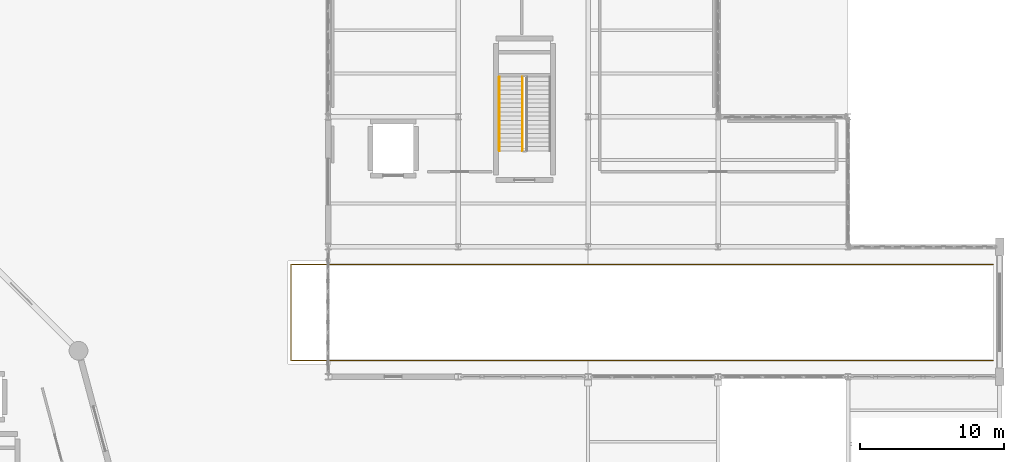
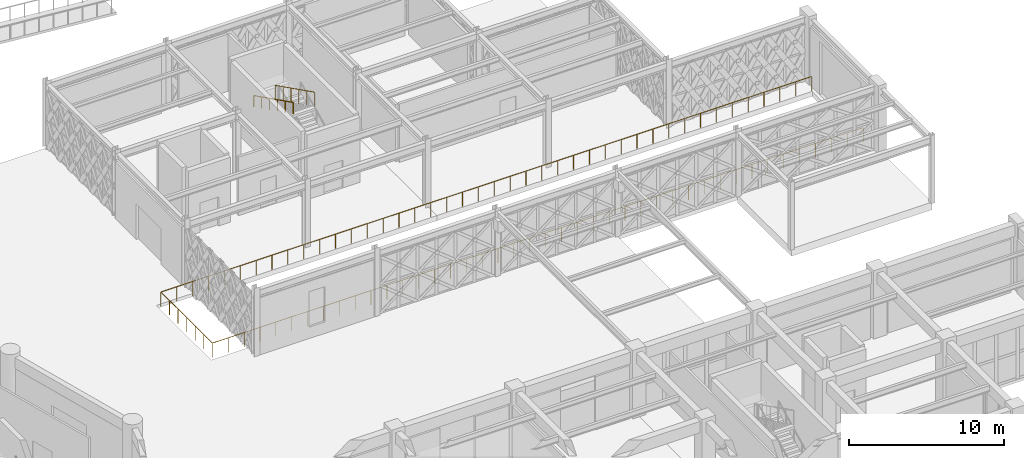
# One storey, part 138 of 140: 3 railings.
"""IFC4 building model written with IfcOpenShell, lengths in metres."""

from ifc_helpers import new_model, si_unit, direction, frame, origin, origin_2d, place, context, subcontext, project, spatial, circle, extrude, material, type_object, element, save


model = new_model("IFC4")

# Units and contexts
model_context = context("Model", 3, precision=1e-05, world=origin(), true_north=direction((0.0, 1.0)))
body_context = subcontext(model_context, "Body", "Model", "MODEL_VIEW")
ifc_project = project(units=[si_unit("LENGTHUNIT", "METRE"), si_unit("AREAUNIT", "SQUARE_METRE"), si_unit("VOLUMEUNIT", "CUBIC_METRE"), si_unit("PLANEANGLEUNIT", "RADIAN"), si_unit("MASSUNIT", "GRAM", prefix="KILO")], contexts=[model_context])

# Site, building, storey
site_placement = place(None, origin())
site = spatial("IfcSite", under=ifc_project, at=site_placement, CompositionType="ELEMENT")
building_placement = place(site_placement, origin())
building = spatial("IfcBuilding", under=site, at=building_placement, Name="Haizhuo Lancet Aquarium", CompositionType="ELEMENT")
storey_placement = place(building_placement, origin())
storey = spatial("IfcBuildingStorey", under=building, at=storey_placement, Name="L00", CompositionType="ELEMENT", Elevation=0.0)

# Railings
ifc_material = material(Name="Steel S355", Category="steel")
railing_type_1 = type_object("IfcRailingType", Name="RL-GRD-1150", PredefinedType="GUARDRAIL", material=ifc_material)
railing_1_placement = place(storey_placement, frame((49.449951171875, 29.75, 2.85009765625)))
element("IfcRailing", 1, at=railing_1_placement, inside=storey, type_object=railing_type_1, Name="L00 ST-10 stair guard 3", PredefinedType="GUARDRAIL", context=body_context, shape_type="SweptSolid", body=[
    extrude(circle(Radius=0.02392578125, at=origin_2d()), frame((0.0, -0.02685546875, 1.13916015625), z_axis=(0.0, -0.89444431709, 0.44717934168), x_axis=(1.0, 0.0, 0.0)), (0.0, 0.0, 1.0), 5.64208984375),
    extrude(circle(Radius=0.02099609375, at=origin_2d()), origin(), (0.0, 0.0, 1.0), 1.097900390625),
    extrude(circle(Radius=0.02099609375, at=origin_2d()), frame((0.0, -1.02001953125, 0.510009765625)), (0.0, 0.0, 1.0), 1.097900390625),
    extrude(circle(Radius=0.02099609375, at=origin_2d()), frame((0.0, -2.0400390625, 1.02001953125)), (0.0, 0.0, 1.0), 1.097900390625),
    extrude(circle(Radius=0.02099609375, at=origin_2d()), frame((0.0, -3.06005859375, 1.52978515625)), (0.0, 0.0, 1.0), 1.097900390625),
    extrude(circle(Radius=0.02099609375, at=origin_2d()), frame((0.0, -4.080078125, 2.039794921875)), (0.0, 0.0, 1.0), 1.097900390625),
    extrude(circle(Radius=0.02099609375, at=origin_2d()), frame((0.0, -5.10009765625, 2.5498046875)), (0.0, 0.0, 1.0), 1.097900390625),
])
railing_2_placement = place(storey_placement, frame((82.050048828125, 10.1201171875, 0.0)))
element("IfcRailing", 2, at=railing_2_placement, inside=storey, type_object=railing_type_1, Name="L00 vehicle ramp well guardrail", PredefinedType="GUARDRAIL", context=body_context, shape_type="SweptSolid", body=[
    extrude(circle(Radius=0.02392578125, at=origin_2d()), frame((-0.030029296875, 0.0, 1.1259765625), z_axis=(-1.0, 0.0, 0.0), x_axis=(0.0, -1.0, 0.0)), (0.0, 0.0, 1.0), 48.570068359375),
    extrude(circle(Radius=0.02392578125, at=origin_2d()), frame((-48.630126953125, 0.030029296875, 1.1259765625), z_axis=(0.0, 1.0, 0.0), x_axis=(-1.0, 0.0, 0.0)), (0.0, 0.0, 1.0), 6.599853515625),
    extrude(circle(Radius=0.02392578125, at=origin_2d()), frame((-48.60009765625, 6.659912109375, 1.1259765625), z_axis=(1.0, 0.0, 0.0), x_axis=(0.0, 1.0, 0.0)), (0.0, 0.0, 1.0), 48.570068359375),
    extrude(circle(Radius=0.02099609375, at=origin_2d()), origin(), (0.0, 0.0, 1.0), 1.097900390625),
    extrude(circle(Radius=0.02099609375, at=origin_2d()), frame((-1.18603515625, 0.0, 0.0)), (0.0, 0.0, 1.0), 1.097900390625),
    extrude(circle(Radius=0.02099609375, at=origin_2d()), frame((-2.372314453125, 0.0, 0.0)), (0.0, 0.0, 1.0), 1.097900390625),
    extrude(circle(Radius=0.02099609375, at=origin_2d()), frame((-3.558349609375, 0.0, 0.0)), (0.0, 0.0, 1.0), 1.097900390625),
    extrude(circle(Radius=0.02099609375, at=origin_2d()), frame((-4.744384765625, 0.0, 0.0)), (0.0, 0.0, 1.0), 1.097900390625),
    extrude(circle(Radius=0.02099609375, at=origin_2d()), frame((-5.930419921875, 0.0, 0.0)), (0.0, 0.0, 1.0), 1.097900390625),
    extrude(circle(Radius=0.02099609375, at=origin_2d()), frame((-7.11669921875, 0.0, 0.0)), (0.0, 0.0, 1.0), 1.097900390625),
    extrude(circle(Radius=0.02099609375, at=origin_2d()), frame((-8.302734375, 0.0, 0.0)), (0.0, 0.0, 1.0), 1.097900390625),
    extrude(circle(Radius=0.02099609375, at=origin_2d()), frame((-9.48876953125, 0.0, 0.0)), (0.0, 0.0, 1.0), 1.097900390625),
    extrude(circle(Radius=0.02099609375, at=origin_2d()), frame((-10.6748046875, 0.0, 0.0)), (0.0, 0.0, 1.0), 1.097900390625),
    extrude(circle(Radius=0.02099609375, at=origin_2d()), frame((-11.861083984375, 0.0, 0.0)), (0.0, 0.0, 1.0), 1.097900390625),
    extrude(circle(Radius=0.02099609375, at=origin_2d()), frame((-13.047119140625, 0.0, 0.0)), (0.0, 0.0, 1.0), 1.097900390625),
    extrude(circle(Radius=0.02099609375, at=origin_2d()), frame((-14.233154296875, 0.0, 0.0)), (0.0, 0.0, 1.0), 1.097900390625),
    extrude(circle(Radius=0.02099609375, at=origin_2d()), frame((-15.419189453125, 0.0, 0.0)), (0.0, 0.0, 1.0), 1.097900390625),
    extrude(circle(Radius=0.02099609375, at=origin_2d()), frame((-16.60546875, 0.0, 0.0)), (0.0, 0.0, 1.0), 1.097900390625),
    extrude(circle(Radius=0.02099609375, at=origin_2d()), frame((-17.79150390625, 0.0, 0.0)), (0.0, 0.0, 1.0), 1.097900390625),
    extrude(circle(Radius=0.02099609375, at=origin_2d()), frame((-18.9775390625, 0.0, 0.0)), (0.0, 0.0, 1.0), 1.097900390625),
    extrude(circle(Radius=0.02099609375, at=origin_2d()), frame((-20.163818359375, 0.0, 0.0)), (0.0, 0.0, 1.0), 1.097900390625),
    extrude(circle(Radius=0.02099609375, at=origin_2d()), frame((-21.349853515625, 0.0, 0.0)), (0.0, 0.0, 1.0), 1.097900390625),
    extrude(circle(Radius=0.02099609375, at=origin_2d()), frame((-22.535888671875, 0.0, 0.0)), (0.0, 0.0, 1.0), 1.097900390625),
    extrude(circle(Radius=0.02099609375, at=origin_2d()), frame((-23.721923828125, 0.0, 0.0)), (0.0, 0.0, 1.0), 1.097900390625),
    extrude(circle(Radius=0.02099609375, at=origin_2d()), frame((-24.908203125, 0.0, 0.0)), (0.0, 0.0, 1.0), 1.097900390625),
    extrude(circle(Radius=0.02099609375, at=origin_2d()), frame((-26.09423828125, 0.0, 0.0)), (0.0, 0.0, 1.0), 1.097900390625),
    extrude(circle(Radius=0.02099609375, at=origin_2d()), frame((-27.2802734375, 0.0, 0.0)), (0.0, 0.0, 1.0), 1.097900390625),
    extrude(circle(Radius=0.02099609375, at=origin_2d()), frame((-28.46630859375, 0.0, 0.0)), (0.0, 0.0, 1.0), 1.097900390625),
    extrude(circle(Radius=0.02099609375, at=origin_2d()), frame((-29.652587890625, 0.0, 0.0)), (0.0, 0.0, 1.0), 1.097900390625),
    extrude(circle(Radius=0.02099609375, at=origin_2d()), frame((-30.838623046875, 0.0, 0.0)), (0.0, 0.0, 1.0), 1.097900390625),
    extrude(circle(Radius=0.02099609375, at=origin_2d()), frame((-32.024658203125, 0.0, 0.0)), (0.0, 0.0, 1.0), 1.097900390625),
    extrude(circle(Radius=0.02099609375, at=origin_2d()), frame((-33.2109375, 0.0, 0.0)), (0.0, 0.0, 1.0), 1.097900390625),
    extrude(circle(Radius=0.02099609375, at=origin_2d()), frame((-34.39697265625, 0.0, 0.0)), (0.0, 0.0, 1.0), 1.097900390625),
    extrude(circle(Radius=0.02099609375, at=origin_2d()), frame((-35.5830078125, 0.0, 0.0)), (0.0, 0.0, 1.0), 1.097900390625),
    extrude(circle(Radius=0.02099609375, at=origin_2d()), frame((-36.76904296875, 0.0, 0.0)), (0.0, 0.0, 1.0), 1.097900390625),
    extrude(circle(Radius=0.02099609375, at=origin_2d()), frame((-37.955322265625, 0.0, 0.0)), (0.0, 0.0, 1.0), 1.097900390625),
    extrude(circle(Radius=0.02099609375, at=origin_2d()), frame((-39.141357421875, 0.0, 0.0)), (0.0, 0.0, 1.0), 1.097900390625),
    extrude(circle(Radius=0.02099609375, at=origin_2d()), frame((-40.327392578125, 0.0, 0.0)), (0.0, 0.0, 1.0), 1.097900390625),
    extrude(circle(Radius=0.02099609375, at=origin_2d()), frame((-41.513427734375, 0.0, 0.0)), (0.0, 0.0, 1.0), 1.097900390625),
    extrude(circle(Radius=0.02099609375, at=origin_2d()), frame((-42.69970703125, 0.0, 0.0)), (0.0, 0.0, 1.0), 1.097900390625),
    extrude(circle(Radius=0.02099609375, at=origin_2d()), frame((-43.8857421875, 0.0, 0.0)), (0.0, 0.0, 1.0), 1.097900390625),
    extrude(circle(Radius=0.02099609375, at=origin_2d()), frame((-45.07177734375, 0.0, 0.0)), (0.0, 0.0, 1.0), 1.097900390625),
    extrude(circle(Radius=0.02099609375, at=origin_2d()), frame((-46.2578125, 0.0, 0.0)), (0.0, 0.0, 1.0), 1.097900390625),
    extrude(circle(Radius=0.02099609375, at=origin_2d()), frame((-47.444091796875, 0.0, 0.0)), (0.0, 0.0, 1.0), 1.097900390625),
    extrude(circle(Radius=0.02099609375, at=origin_2d()), frame((-48.630126953125, 0.0, 0.0)), (0.0, 0.0, 1.0), 1.097900390625),
    extrude(circle(Radius=0.02099609375, at=origin_2d()), frame((-48.630126953125, 1.10986328125, 0.0)), (0.0, 0.0, 1.0), 1.097900390625),
    extrude(circle(Radius=0.02099609375, at=origin_2d()), frame((-48.630126953125, 2.219970703125, 0.0)), (0.0, 0.0, 1.0), 1.097900390625),
    extrude(circle(Radius=0.02099609375, at=origin_2d()), frame((-48.630126953125, 3.330078125, 0.0)), (0.0, 0.0, 1.0), 1.097900390625),
    extrude(circle(Radius=0.02099609375, at=origin_2d()), frame((-48.630126953125, 4.43994140625, 0.0)), (0.0, 0.0, 1.0), 1.097900390625),
    extrude(circle(Radius=0.02099609375, at=origin_2d()), frame((-48.630126953125, 5.5498046875, 0.0)), (0.0, 0.0, 1.0), 1.097900390625),
    extrude(circle(Radius=0.02099609375, at=origin_2d()), frame((-48.630126953125, 6.659912109375, 0.0)), (0.0, 0.0, 1.0), 1.097900390625),
    extrude(circle(Radius=0.02099609375, at=origin_2d()), frame((-47.444091796875, 6.659912109375, 0.0)), (0.0, 0.0, 1.0), 1.097900390625),
    extrude(circle(Radius=0.02099609375, at=origin_2d()), frame((-46.2578125, 6.659912109375, 0.0)), (0.0, 0.0, 1.0), 1.097900390625),
    extrude(circle(Radius=0.02099609375, at=origin_2d()), frame((-45.07177734375, 6.659912109375, 0.0)), (0.0, 0.0, 1.0), 1.097900390625),
    extrude(circle(Radius=0.02099609375, at=origin_2d()), frame((-43.8857421875, 6.659912109375, 0.0)), (0.0, 0.0, 1.0), 1.097900390625),
    extrude(circle(Radius=0.02099609375, at=origin_2d()), frame((-42.69970703125, 6.659912109375, 0.0)), (0.0, 0.0, 1.0), 1.097900390625),
    extrude(circle(Radius=0.02099609375, at=origin_2d()), frame((-41.513427734375, 6.659912109375, 0.0)), (0.0, 0.0, 1.0), 1.097900390625),
    extrude(circle(Radius=0.02099609375, at=origin_2d()), frame((-40.327392578125, 6.659912109375, 0.0)), (0.0, 0.0, 1.0), 1.097900390625),
    extrude(circle(Radius=0.02099609375, at=origin_2d()), frame((-39.141357421875, 6.659912109375, 0.0)), (0.0, 0.0, 1.0), 1.097900390625),
    extrude(circle(Radius=0.02099609375, at=origin_2d()), frame((-37.955322265625, 6.659912109375, 0.0)), (0.0, 0.0, 1.0), 1.097900390625),
    extrude(circle(Radius=0.02099609375, at=origin_2d()), frame((-36.76904296875, 6.659912109375, 0.0)), (0.0, 0.0, 1.0), 1.097900390625),
    extrude(circle(Radius=0.02099609375, at=origin_2d()), frame((-35.5830078125, 6.659912109375, 0.0)), (0.0, 0.0, 1.0), 1.097900390625),
    extrude(circle(Radius=0.02099609375, at=origin_2d()), frame((-34.39697265625, 6.659912109375, 0.0)), (0.0, 0.0, 1.0), 1.097900390625),
    extrude(circle(Radius=0.02099609375, at=origin_2d()), frame((-33.2109375, 6.659912109375, 0.0)), (0.0, 0.0, 1.0), 1.097900390625),
    extrude(circle(Radius=0.02099609375, at=origin_2d()), frame((-32.024658203125, 6.659912109375, 0.0)), (0.0, 0.0, 1.0), 1.097900390625),
    extrude(circle(Radius=0.02099609375, at=origin_2d()), frame((-30.838623046875, 6.659912109375, 0.0)), (0.0, 0.0, 1.0), 1.097900390625),
    extrude(circle(Radius=0.02099609375, at=origin_2d()), frame((-29.652587890625, 6.659912109375, 0.0)), (0.0, 0.0, 1.0), 1.097900390625),
    extrude(circle(Radius=0.02099609375, at=origin_2d()), frame((-28.46630859375, 6.659912109375, 0.0)), (0.0, 0.0, 1.0), 1.097900390625),
    extrude(circle(Radius=0.02099609375, at=origin_2d()), frame((-27.2802734375, 6.659912109375, 0.0)), (0.0, 0.0, 1.0), 1.097900390625),
    extrude(circle(Radius=0.02099609375, at=origin_2d()), frame((-26.09423828125, 6.659912109375, 0.0)), (0.0, 0.0, 1.0), 1.097900390625),
    extrude(circle(Radius=0.02099609375, at=origin_2d()), frame((-24.908203125, 6.659912109375, 0.0)), (0.0, 0.0, 1.0), 1.097900390625),
    extrude(circle(Radius=0.02099609375, at=origin_2d()), frame((-23.721923828125, 6.659912109375, 0.0)), (0.0, 0.0, 1.0), 1.097900390625),
    extrude(circle(Radius=0.02099609375, at=origin_2d()), frame((-22.535888671875, 6.659912109375, 0.0)), (0.0, 0.0, 1.0), 1.097900390625),
    extrude(circle(Radius=0.02099609375, at=origin_2d()), frame((-21.349853515625, 6.659912109375, 0.0)), (0.0, 0.0, 1.0), 1.097900390625),
    extrude(circle(Radius=0.02099609375, at=origin_2d()), frame((-20.163818359375, 6.659912109375, 0.0)), (0.0, 0.0, 1.0), 1.097900390625),
    extrude(circle(Radius=0.02099609375, at=origin_2d()), frame((-18.9775390625, 6.659912109375, 0.0)), (0.0, 0.0, 1.0), 1.097900390625),
    extrude(circle(Radius=0.02099609375, at=origin_2d()), frame((-17.79150390625, 6.659912109375, 0.0)), (0.0, 0.0, 1.0), 1.097900390625),
    extrude(circle(Radius=0.02099609375, at=origin_2d()), frame((-16.60546875, 6.659912109375, 0.0)), (0.0, 0.0, 1.0), 1.097900390625),
    extrude(circle(Radius=0.02099609375, at=origin_2d()), frame((-15.419189453125, 6.659912109375, 0.0)), (0.0, 0.0, 1.0), 1.097900390625),
    extrude(circle(Radius=0.02099609375, at=origin_2d()), frame((-14.233154296875, 6.659912109375, 0.0)), (0.0, 0.0, 1.0), 1.097900390625),
    extrude(circle(Radius=0.02099609375, at=origin_2d()), frame((-13.047119140625, 6.659912109375, 0.0)), (0.0, 0.0, 1.0), 1.097900390625),
    extrude(circle(Radius=0.02099609375, at=origin_2d()), frame((-11.861083984375, 6.659912109375, 0.0)), (0.0, 0.0, 1.0), 1.097900390625),
    extrude(circle(Radius=0.02099609375, at=origin_2d()), frame((-10.6748046875, 6.659912109375, 0.0)), (0.0, 0.0, 1.0), 1.097900390625),
    extrude(circle(Radius=0.02099609375, at=origin_2d()), frame((-9.48876953125, 6.659912109375, 0.0)), (0.0, 0.0, 1.0), 1.097900390625),
    extrude(circle(Radius=0.02099609375, at=origin_2d()), frame((-8.302734375, 6.659912109375, 0.0)), (0.0, 0.0, 1.0), 1.097900390625),
    extrude(circle(Radius=0.02099609375, at=origin_2d()), frame((-7.11669921875, 6.659912109375, 0.0)), (0.0, 0.0, 1.0), 1.097900390625),
    extrude(circle(Radius=0.02099609375, at=origin_2d()), frame((-5.930419921875, 6.659912109375, 0.0)), (0.0, 0.0, 1.0), 1.097900390625),
    extrude(circle(Radius=0.02099609375, at=origin_2d()), frame((-4.744384765625, 6.659912109375, 0.0)), (0.0, 0.0, 1.0), 1.097900390625),
    extrude(circle(Radius=0.02099609375, at=origin_2d()), frame((-3.558349609375, 6.659912109375, 0.0)), (0.0, 0.0, 1.0), 1.097900390625),
    extrude(circle(Radius=0.02099609375, at=origin_2d()), frame((-2.372314453125, 6.659912109375, 0.0)), (0.0, 0.0, 1.0), 1.097900390625),
    extrude(circle(Radius=0.02099609375, at=origin_2d()), frame((-1.18603515625, 6.659912109375, 0.0)), (0.0, 0.0, 1.0), 1.097900390625),
    extrude(circle(Radius=0.02099609375, at=origin_2d()), frame((0.0, 6.659912109375, 0.0)), (0.0, 0.0, 1.0), 1.097900390625),
])
railing_type_2 = type_object("IfcRailingType", Name="RL-HDR-900", PredefinedType="HANDRAIL", material=ifc_material)
railing_3_placement = place(storey_placement, frame((47.85009765625, 29.75, 2.85009765625)))
element("IfcRailing", 3, at=railing_3_placement, inside=storey, type_object=railing_type_2, Name="L00 ST-10 pitch handrail 2", PredefinedType="HANDRAIL", context=body_context, shape_type="SweptSolid", body=[
    extrude(circle(Radius=0.02392578125, at=origin_2d()), frame((0.0, -0.02685546875, 0.88916015625), z_axis=(0.0, -0.89444431709, 0.44717934168), x_axis=(1.0, 0.0, 0.0)), (0.0, 0.0, 1.0), 5.64208984375),
    extrude(circle(Radius=0.02099609375, at=origin_2d()), origin(), (0.0, 0.0, 1.0), 0.847900390625),
    extrude(circle(Radius=0.02099609375, at=origin_2d()), frame((0.0, -1.02001953125, 0.510009765625)), (0.0, 0.0, 1.0), 0.847900390625),
    extrude(circle(Radius=0.02099609375, at=origin_2d()), frame((0.0, -2.0400390625, 1.02001953125)), (0.0, 0.0, 1.0), 0.847900390625),
    extrude(circle(Radius=0.02099609375, at=origin_2d()), frame((0.0, -3.06005859375, 1.52978515625)), (0.0, 0.0, 1.0), 0.847900390625),
    extrude(circle(Radius=0.02099609375, at=origin_2d()), frame((0.0, -4.080078125, 2.039794921875)), (0.0, 0.0, 1.0), 0.847900390625),
    extrude(circle(Radius=0.02099609375, at=origin_2d()), frame((0.0, -5.10009765625, 2.5498046875)), (0.0, 0.0, 1.0), 0.847900390625),
])

save(model, "model.ifc")
